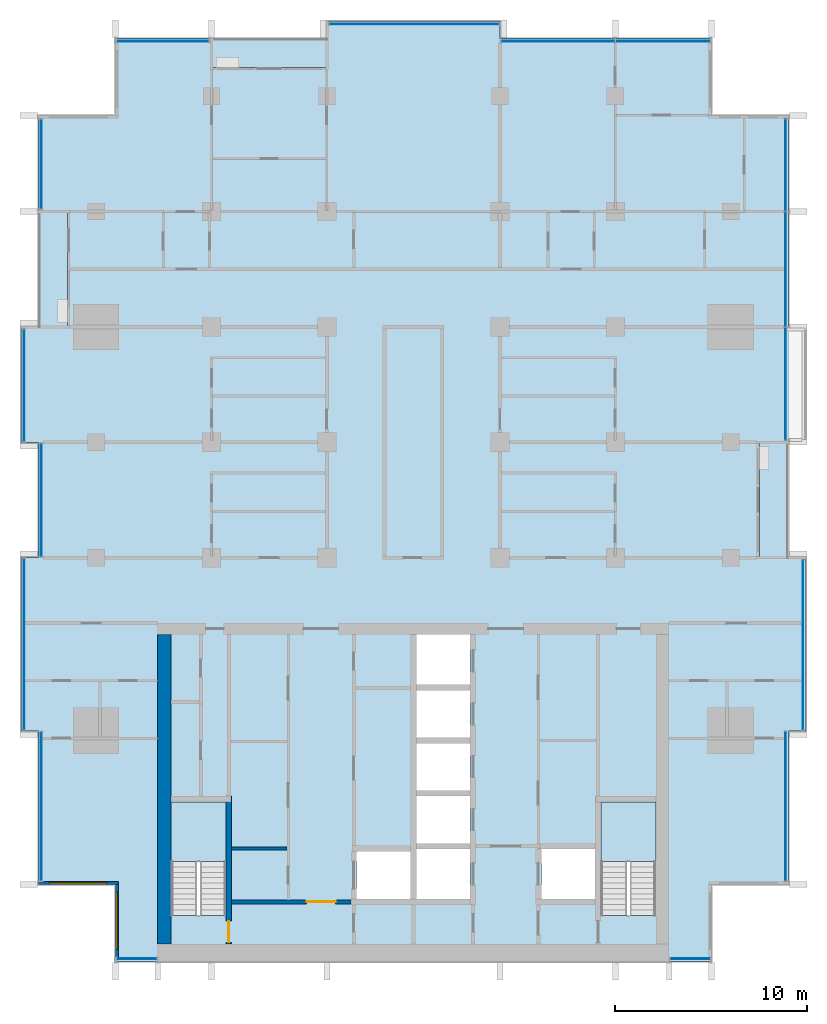
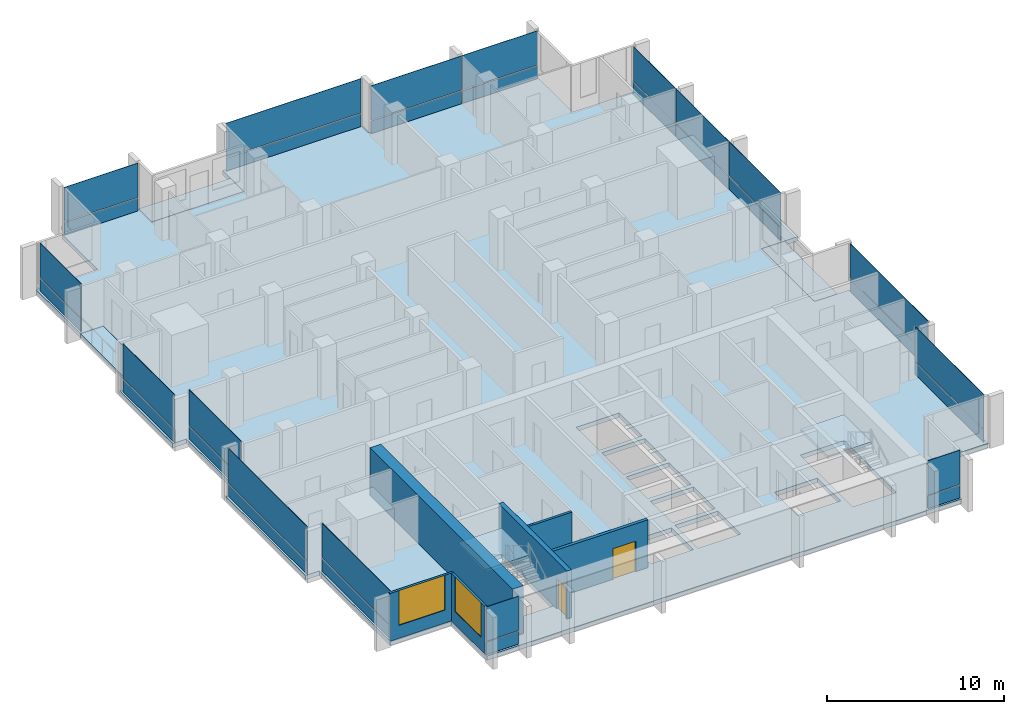
# One storey, part 6 of 16: 32 plates, 6 slabs, 6 walls, 2 doors, 2 windows, 4 openings, 15 elements without a shape of their own.
"""IFC4 building model written with IfcOpenShell, lengths in metres."""

import ifcopenshell
import ifcopenshell.guid

model = None  # the IFC model being written
_history = None  # IfcOwnerHistory: only IFC2X3 demands one
_inside = {}  # id of a spatial element -> (the spatial element, [elements in it])
_under = {}  # id of a project, library or spatial element -> (it, [spatial elements below it])
_declared = {}  # id of a project -> (the project, [libraries it declares])
_typed = {}  # id of a type object -> (the type object, [elements of that type])
_made_of = {}  # id of a material, layer set ... -> (it, [elements and type objects made of it])


def new_model(schema):
    """Start an empty IFC model of exactly this schema.

    Asked for "IFC4X3", IfcOpenShell would pick the latest addendum, in which some entities
    have other attributes; the version numbers below select the first issue.
    IFC2X3 requires an IfcOwnerHistory on every rooted entity: one is made here for all.
    """
    global model, _history
    if schema == "IFC4X3":
        model = ifcopenshell.file(schema_version=(4, 3, 0, 0))
    else:
        model = ifcopenshell.file(schema=schema)
    _inside.clear()
    _under.clear()
    _declared.clear()
    _typed.clear()
    _made_of.clear()
    _history = None
    if model.schema == "IFC2X3":
        org = make("IfcOrganization", Name="unknown")
        user = make(
            "IfcPersonAndOrganization",
            ThePerson=make("IfcPerson", FamilyName="unknown"),
            TheOrganization=org,
        )
        app = make(
            "IfcApplication",
            ApplicationDeveloper=org,
            Version="unknown",
            ApplicationFullName="unknown",
            ApplicationIdentifier="unknown",
        )
        _history = make(
            "IfcOwnerHistory",
            OwningUser=user,
            OwningApplication=app,
            ChangeAction="ADDED",
            CreationDate=0,
        )
    return model


def make(cls, **values):
    """One entity of the class cls with the attributes given. An attribute that is None is left unset."""
    return model.create_entity(
        cls, **{name: value for name, value in values.items() if value is not None}
    )


def rooted(cls, **values):
    """An entity with a GlobalId (a new one), such as an element, a storey or a relation."""
    return make(cls, GlobalId=ifcopenshell.guid.new(), OwnerHistory=_history, **values)


def si_unit(unit_type, name, prefix=None):
    """IfcSIUnit, for example si_unit("LENGTHUNIT", "METRE", prefix="MILLI")."""
    return make("IfcSIUnit", UnitType=unit_type, Prefix=prefix, Name=name)


def assignment(units):
    """IfcUnitAssignment: the units of a project."""
    return None if units is None else make("IfcUnitAssignment", Units=units)


def point(xyz):
    """IfcCartesianPoint."""
    return None if xyz is None else make("IfcCartesianPoint", Coordinates=xyz)


def direction(xyz):
    """IfcDirection."""
    return None if xyz is None else make("IfcDirection", DirectionRatios=xyz)


def frame(location, z_axis=None, x_axis=None):
    """IfcAxis2Placement3D, a coordinate frame: its origin and axes. An axis left out is left unset."""
    return make(
        "IfcAxis2Placement3D",
        Location=point(location),
        Axis=direction(z_axis),
        RefDirection=direction(x_axis),
    )


def frame_2d(location, x_axis=None):
    """IfcAxis2Placement2D, a coordinate frame in the plane: its origin and x axis."""
    return make(
        "IfcAxis2Placement2D", Location=point(location), RefDirection=direction(x_axis)
    )


def origin():
    """The frame at (0, 0, 0) with its axes left unset."""
    return frame((0.0, 0.0, 0.0))


def origin_2d():
    """The frame at (0, 0) in the plane with its x axis left unset."""
    return frame_2d((0.0, 0.0))


def place(relative_to, where):
    """IfcLocalPlacement: puts the frame where relative to a parent placement (None: the world)."""
    return make(
        "IfcLocalPlacement", PlacementRelTo=relative_to, RelativePlacement=where
    )


def context(
    kind, dimensions, precision=None, world=None, true_north=None, identifier=None
):
    """IfcGeometricRepresentationContext, for example the 3D "Model" context."""
    return make(
        "IfcGeometricRepresentationContext",
        ContextIdentifier=identifier,
        ContextType=kind,
        CoordinateSpaceDimension=dimensions,
        Precision=precision,
        WorldCoordinateSystem=world,
        TrueNorth=true_north,
    )


def subcontext(parent, identifier, kind, view, scale=None):
    """IfcGeometricRepresentationSubContext, for example "Body" below "Model"."""
    return make(
        "IfcGeometricRepresentationSubContext",
        ContextIdentifier=identifier,
        ContextType=kind,
        ParentContext=parent,
        TargetScale=scale,
        TargetView=view,
    )


def project(units=None, contexts=None):
    """IfcProject with its units and contexts."""
    return rooted(
        "IfcProject",
        Name="project",
        RepresentationContexts=contexts,
        UnitsInContext=assignment(units),
    )


def spatial(cls, under=None, at=None, **own):
    """A site, building, storey or space (cls), placed at a placement, below another one or the project."""
    s = rooted(cls, ObjectPlacement=at, **own)
    if under is not None:
        _under.setdefault(under.id(), (under, []))[1].append(s)
    return s


def polyline(points):
    """IfcPolyline through the points."""
    return make("IfcPolyline", Points=[point(p) for p in points])


def profile(cls, at=None, kind="AREA", **sizes):
    """A parametric profile (cls). Its sizes go by their IFC names, for example OverallWidth=200.0."""
    return make(cls, ProfileType=kind, Position=at, **sizes)


def rectangle(**sizes):
    """IfcRectangleProfileDef."""
    return profile("IfcRectangleProfileDef", **sizes)


def outline(outer, holes=None, kind="AREA"):
    """IfcArbitraryClosedProfileDef: a profile drawn as a closed curve; with holes, ...WithVoids."""
    if holes is None:
        return make("IfcArbitraryClosedProfileDef", ProfileType=kind, OuterCurve=outer)
    return make(
        "IfcArbitraryProfileDefWithVoids",
        ProfileType=kind,
        OuterCurve=outer,
        InnerCurves=holes,
    )


def extrude(swept, where, along, depth):
    """IfcExtrudedAreaSolid: the profile swept, set in the frame where, extruded along a direction by depth."""
    return make(
        "IfcExtrudedAreaSolid",
        SweptArea=swept,
        Position=where,
        ExtrudedDirection=direction(along),
        Depth=depth,
    )


def shape(context_of_items, identifier, shape_type, items):
    """IfcShapeRepresentation: the items that make up one representation, for example the "Body"."""
    return make(
        "IfcShapeRepresentation",
        ContextOfItems=context_of_items,
        RepresentationIdentifier=identifier,
        RepresentationType=shape_type,
        Items=items,
    )


def material(Name=None, Category=None):
    """IfcMaterial."""
    return make("IfcMaterial", Name=Name, Category=Category)


def layer(
    of_material, thickness, ventilated=None, Name=None, Category=None, Priority=None
):
    """IfcMaterialLayer: one layer of a wall or slab, of a material (None: an air gap)."""
    return make(
        "IfcMaterialLayer",
        Material=of_material,
        LayerThickness=thickness,
        IsVentilated=ventilated,
        Name=Name,
        Category=Category,
        Priority=Priority,
    )


def layer_set(layers, Name=None):
    """IfcMaterialLayerSet."""
    return make("IfcMaterialLayerSet", MaterialLayers=layers, LayerSetName=Name)


def made_of(thing, what):
    """Note that an element or type object is made of a material, layer set ...; save() writes the relation."""
    if what is not None:
        _made_of.setdefault(what.id(), (what, []))[1].append(thing)
    return thing


def type_object(cls, material=None, **own):
    """A type object (cls), such as IfcWallType, which elements share."""
    return made_of(rooted(cls, **own), material)


def element(
    cls,
    number,
    at=None,
    inside=None,
    cuts=None,
    type_object=None,
    material=None,
    context=None,
    identifier="Body",
    shape_type=None,
    held_by="IfcProductDefinitionShape",
    body=None,
    shapes=None,
    **own,
):
    """One element of the class cls, such as IfcWall. Its Tag is "e" and its number.

    at: its placement. inside: the storey or other place that contains it. cuts: it is an
    opening in that element (IfcRelVoidsElement). A single representation is given by context,
    identifier, shape_type and body (its items); several are given by shapes. held_by: the class
    of the entity that holds the representations. save() writes the other relations.
    """
    e = rooted(cls, Tag="e%d" % number, ObjectPlacement=at, **own)
    if body is not None:
        shapes = [shape(context, identifier, shape_type, body)]
    if shapes is not None:
        e.Representation = make(held_by, Representations=shapes)
    if inside is not None:
        _inside.setdefault(inside.id(), (inside, []))[1].append(e)
    if cuts is not None:
        rooted(
            "IfcRelVoidsElement", RelatingBuildingElement=cuts, RelatedOpeningElement=e
        )
    if type_object is not None:
        _typed.setdefault(type_object.id(), (type_object, []))[1].append(e)
    return made_of(e, material)


def fill(opening, filler):
    """IfcRelFillsElement: the door or window that sits in an opening."""
    return rooted(
        "IfcRelFillsElement",
        RelatingOpeningElement=opening,
        RelatedBuildingElement=filler,
    )


def aggregate(whole, parts):
    """IfcRelAggregates: a whole, such as a stair, and the parts it consists of."""
    return rooted("IfcRelAggregates", RelatingObject=whole, RelatedObjects=parts)


def save(model, path):
    """Write the relations noted so far, then the file.

    IfcRelAggregates (storeys below a building ...), IfcRelContainedInSpatialStructure (elements
    in a storey), IfcRelDefinesByType, IfcRelAssociatesMaterial and IfcRelDeclares: one each for
    every whole, place, type object, material and project.
    """
    for whole, parts in _under.values():
        aggregate(whole, parts)
    for where, things in _inside.values():
        rooted(
            "IfcRelContainedInSpatialStructure",
            RelatedElements=things,
            RelatingStructure=where,
        )
    for kind, things in _typed.values():
        rooted("IfcRelDefinesByType", RelatedObjects=things, RelatingType=kind)
    for what, things in _made_of.values():
        rooted("IfcRelAssociatesMaterial", RelatedObjects=things, RelatingMaterial=what)
    for by, libraries in _declared.values():
        rooted("IfcRelDeclares", RelatingContext=by, RelatedDefinitions=libraries)
    model.write(path)


model = new_model("IFC4")

# Units and contexts
model_context = context("Model", 3, precision=1e-05, world=origin(), true_north=direction((0.0, 1.0)))
body_context = subcontext(model_context, "Body", "Model", "MODEL_VIEW")
ifc_project = project(units=[si_unit("LENGTHUNIT", "METRE"), si_unit("AREAUNIT", "SQUARE_METRE"), si_unit("VOLUMEUNIT", "CUBIC_METRE"), si_unit("PLANEANGLEUNIT", "RADIAN"), si_unit("MASSUNIT", "GRAM", prefix="KILO")], contexts=[model_context])

# Site, building, storey
site_placement = place(None, origin())
site = spatial("IfcSite", under=ifc_project, at=site_placement, CompositionType="ELEMENT")
building_placement = place(site_placement, origin())
building = spatial("IfcBuilding", under=site, at=building_placement, Name="Finial Court Residences", CompositionType="ELEMENT")
storey_placement = place(building_placement, frame((0.0, 0.0, 163.699951171875)))
storey = spatial("IfcBuildingStorey", under=building, at=storey_placement, Name="L40", CompositionType="ELEMENT", Elevation=163.699951171875)

# Slabs
ifc_material_1 = material(Name="Concrete C35/45", Category="concrete")
ifc_layer_1 = layer(ifc_material_1, 0.199951171875)
ifc_layer_set_1 = layer_set([ifc_layer_1], Name="Balcony slab, Concrete C35/45 200")
slab_type_1 = type_object("IfcSlabType", Name="Balcony slab, Concrete C35/45 200", PredefinedType="FLOOR", material=ifc_layer_set_1)
slab_1_placement = place(storey_placement, frame((0.0, 0.0, -0.199951171875)))
element("IfcSlab", 1, at=slab_1_placement, inside=storey, type_object=slab_type_1, Name="Balcony L40-N2", PredefinedType="FLOOR", context=body_context, shape_type="SweptSolid", body=[
    extrude(outline(polyline([(-4.5, 21.0), (-4.5, 22.5), (-10.5, 22.5), (-10.5, 21.0), (-4.5, 21.0)])), origin(), (0.0, 0.0, 1.0), 0.199951171875),
])
slab_2_placement = place(storey_placement, frame((0.0, 0.0, -0.199951171875)))
element("IfcSlab", 2, at=slab_2_placement, inside=storey, type_object=slab_type_1, Name="Balcony L40-E3", PredefinedType="FLOOR", context=body_context, shape_type="SweptSolid", body=[
    extrude(outline(polyline([(19.5, -4.5), (19.5, 1.5), (18.0, 1.5), (18.0, -4.5), (19.5, -4.5)])), origin(), (0.0, 0.0, 1.0), 0.199951171875),
])
slab_3_placement = place(storey_placement, frame((0.0, 0.0, -0.199951171875)))
element("IfcSlab", 3, at=slab_3_placement, inside=storey, type_object=slab_type_1, Name="Balcony L40-W5", PredefinedType="FLOOR", context=body_context, shape_type="SweptSolid", body=[
    extrude(outline(polyline([(-18.0, 7.5), (-18.0, 13.5), (-19.5, 13.5), (-19.5, 7.5), (-18.0, 7.5)])), origin(), (0.0, 0.0, 1.0), 0.199951171875),
])

# Curtain wall, plate
ifc_material_2 = material(Name="Bronze anodised aluminium", Category="aluminium")
curtain_wall_type = type_object("IfcCurtainWallType", Name="Unitised curtain wall, upper zones", PredefinedType="NOTDEFINED", material=ifc_material_2)
curtain_wall_1_placement = place(storey_placement, origin())
curtain_wall_1 = element("IfcCurtainWall", 4, at=curtain_wall_1_placement, inside=storey, type_object=curtain_wall_type, Name="E-L40-CW-N1", PredefinedType="NOTDEFINED")
ifc_layer_2 = layer(ifc_material_2, 0.035888671875)
ifc_layer_set_2 = layer_set([ifc_layer_2], Name="CW2 spandrel panel 36")
plate_type_1 = type_object("IfcPlateType", Name="CW2 spandrel panel 36", PredefinedType="CURTAIN_PANEL", material=ifc_layer_set_2)
plate_1_placement = place(storey_placement, frame((-13.03759765625, 22.35009765625, 0.0), z_axis=(0.0, 0.0, 1.0), x_axis=(1.0, 0.0, 0.0)))
plate_1 = element("IfcPlate", 5, at=plate_1_placement, type_object=plate_type_1, Name="CW2 spandrel 1.1", PredefinedType="CURTAIN_PANEL", context=body_context, shape_type="SweptSolid", body=[
    extrude(rectangle(XDim=4.804931640625, YDim=0.035888671875, at=origin_2d()), origin(), (0.0, 0.0, 1.0), 0.8701171875),
])

curtain_wall_2_placement = place(storey_placement, origin())
curtain_wall_2 = element("IfcCurtainWall", 6, at=curtain_wall_2_placement, inside=storey, type_object=curtain_wall_type, Name="E-L40-CW-N2", PredefinedType="NOTDEFINED")
plate_2_placement = place(storey_placement, frame((0.03759765625, 23.25, 0.0), z_axis=(0.0, 0.0, 1.0), x_axis=(1.0, 0.0, 0.0)))
plate_2 = element("IfcPlate", 7, at=plate_2_placement, type_object=plate_type_1, Name="CW2 spandrel 1.1", PredefinedType="CURTAIN_PANEL", context=body_context, shape_type="SweptSolid", body=[
    extrude(rectangle(XDim=8.804931640625, YDim=0.035888671875, at=origin_2d()), origin(), (0.0, 0.0, 1.0), 0.8701171875),
])

# Curtain wall, plates
curtain_wall_3_placement = place(storey_placement, origin())
curtain_wall_3 = element("IfcCurtainWall", 8, at=curtain_wall_3_placement, inside=storey, type_object=curtain_wall_type, Name="E-L40-CW-N3", PredefinedType="NOTDEFINED")
plate_3_placement = place(storey_placement, frame((7.514892578125, 22.35009765625, 0.0), z_axis=(0.0, 0.0, 1.0), x_axis=(1.0, 0.0, 0.0)))
plate_3 = element("IfcPlate", 9, at=plate_3_placement, type_object=plate_type_1, Name="CW2 spandrel 1.1", PredefinedType="CURTAIN_PANEL", context=body_context, shape_type="SweptSolid", body=[
    extrude(rectangle(XDim=5.909912109375, YDim=0.035888671875, at=origin_2d()), origin(), (0.0, 0.0, 1.0), 0.8701171875),
])
plate_4_placement = place(storey_placement, frame((12.985107421875, 22.35009765625, 0.0), z_axis=(0.0, 0.0, 1.0), x_axis=(1.0, 0.0, 0.0)))
plate_4 = element("IfcPlate", 10, at=plate_4_placement, type_object=plate_type_1, Name="CW2 spandrel 2.1", PredefinedType="CURTAIN_PANEL", context=body_context, shape_type="SweptSolid", body=[
    extrude(rectangle(XDim=4.909912109375, YDim=0.035888671875, at=origin_2d()), origin(), (0.0, 0.0, 1.0), 0.8701171875),
])

# Curtain wall, plate
curtain_wall_4_placement = place(storey_placement, origin())
curtain_wall_4 = element("IfcCurtainWall", 11, at=curtain_wall_4_placement, inside=storey, type_object=curtain_wall_type, Name="E-L40-CW-E4", PredefinedType="NOTDEFINED")
plate_5_placement = place(storey_placement, frame((19.35009765625, -17.425048828125, 0.0), z_axis=(0.0, 0.0, 1.0), x_axis=(0.0, 1.0, 0.0)))
plate_5 = element("IfcPlate", 12, at=plate_5_placement, type_object=plate_type_1, Name="CW2 spandrel 1.1", PredefinedType="CURTAIN_PANEL", context=body_context, shape_type="SweptSolid", body=[
    extrude(rectangle(XDim=7.72998046875, YDim=0.035888671875, at=origin_2d()), origin(), (0.0, 0.0, 1.0), 0.8701171875),
])

curtain_wall_5_placement = place(storey_placement, origin())
curtain_wall_5 = element("IfcCurtainWall", 13, at=curtain_wall_5_placement, inside=storey, type_object=curtain_wall_type, Name="E-L40-CW-E5", PredefinedType="NOTDEFINED")
plate_6_placement = place(storey_placement, frame((20.25, -9.03759765625, 0.0), z_axis=(0.0, 0.0, 1.0), x_axis=(0.0, 1.0, 0.0)))
plate_6 = element("IfcPlate", 14, at=plate_6_placement, type_object=plate_type_1, Name="CW2 spandrel 1.1", PredefinedType="CURTAIN_PANEL", context=body_context, shape_type="SweptSolid", body=[
    extrude(rectangle(XDim=8.804931640625, YDim=0.035888671875, at=origin_2d()), origin(), (0.0, 0.0, 1.0), 0.8701171875),
])

# Curtain wall, plates
curtain_wall_6_placement = place(storey_placement, origin())
curtain_wall_6 = element("IfcCurtainWall", 15, at=curtain_wall_6_placement, inside=storey, type_object=curtain_wall_type, Name="E-L40-CW-E6", PredefinedType="NOTDEFINED")
plate_7_placement = place(storey_placement, frame((19.35009765625, 4.552490234375, 0.0), z_axis=(0.0, 0.0, 1.0), x_axis=(0.0, 1.0, 0.0)))
plate_7 = element("IfcPlate", 16, at=plate_7_placement, type_object=plate_type_1, Name="CW2 spandrel 1.1", PredefinedType="CURTAIN_PANEL", context=body_context, shape_type="SweptSolid", body=[
    extrude(rectangle(XDim=5.8349609375, YDim=0.035888671875, at=origin_2d()), origin(), (0.0, 0.0, 1.0), 0.8701171875),
])
plate_8_placement = place(storey_placement, frame((19.35009765625, 10.5, 0.0), z_axis=(0.0, 0.0, 1.0), x_axis=(0.0, 1.0, 0.0)))
plate_8 = element("IfcPlate", 17, at=plate_8_placement, type_object=plate_type_1, Name="CW2 spandrel 2.1", PredefinedType="CURTAIN_PANEL", context=body_context, shape_type="SweptSolid", body=[
    extrude(rectangle(XDim=5.93994140625, YDim=0.035888671875, at=origin_2d()), origin(), (0.0, 0.0, 1.0), 0.8701171875),
])
plate_9_placement = place(storey_placement, frame((19.35009765625, 15.909912109375, 0.0), z_axis=(0.0, 0.0, 1.0), x_axis=(0.0, 1.0, 0.0)))
plate_9 = element("IfcPlate", 18, at=plate_9_placement, type_object=plate_type_1, Name="CW2 spandrel 3.1", PredefinedType="CURTAIN_PANEL", context=body_context, shape_type="SweptSolid", body=[
    extrude(rectangle(XDim=4.760009765625, YDim=0.035888671875, at=origin_2d()), origin(), (0.0, 0.0, 1.0), 0.8701171875),
])

# Curtain wall, plate
curtain_wall_7_placement = place(storey_placement, origin())
curtain_wall_7 = element("IfcCurtainWall", 19, at=curtain_wall_7_placement, inside=storey, type_object=curtain_wall_type, Name="E-L40-CW-S7", PredefinedType="NOTDEFINED")
plate_10_placement = place(storey_placement, frame((-14.39990234375, -25.35009765625, 0.0), z_axis=(0.0, 0.0, 1.0), x_axis=(1.0, 0.0, 0.0)))
plate_10 = element("IfcPlate", 20, at=plate_10_placement, type_object=plate_type_1, Name="CW2 spandrel 1.1", PredefinedType="CURTAIN_PANEL", context=body_context, shape_type="SweptSolid", body=[
    extrude(rectangle(XDim=2.080078125, YDim=0.035888671875, at=origin_2d()), origin(), (0.0, 0.0, 1.0), 0.8701171875),
])

curtain_wall_8_placement = place(storey_placement, origin())
curtain_wall_8 = element("IfcCurtainWall", 21, at=curtain_wall_8_placement, inside=storey, type_object=curtain_wall_type, Name="E-L40-CW-S8", PredefinedType="NOTDEFINED")
plate_11_placement = place(storey_placement, frame((14.39990234375, -25.35009765625, 0.0), z_axis=(0.0, 0.0, 1.0), x_axis=(1.0, 0.0, 0.0)))
plate_11 = element("IfcPlate", 22, at=plate_11_placement, type_object=plate_type_1, Name="CW2 spandrel 1.1", PredefinedType="CURTAIN_PANEL", context=body_context, shape_type="SweptSolid", body=[
    extrude(rectangle(XDim=2.080078125, YDim=0.035888671875, at=origin_2d()), origin(), (0.0, 0.0, 1.0), 0.8701171875),
])

curtain_wall_9_placement = place(storey_placement, origin())
curtain_wall_9 = element("IfcCurtainWall", 23, at=curtain_wall_9_placement, inside=storey, type_object=curtain_wall_type, Name="E-L40-CW-W9", PredefinedType="NOTDEFINED")
plate_12_placement = place(storey_placement, frame((-19.35009765625, -17.425048828125, 0.0), z_axis=(0.0, 0.0, 1.0), x_axis=(0.0, 1.0, 0.0)))
plate_12 = element("IfcPlate", 24, at=plate_12_placement, type_object=plate_type_1, Name="CW2 spandrel 1.1", PredefinedType="CURTAIN_PANEL", context=body_context, shape_type="SweptSolid", body=[
    extrude(rectangle(XDim=7.72998046875, YDim=0.035888671875, at=origin_2d()), origin(), (0.0, 0.0, 1.0), 0.8701171875),
])

curtain_wall_10_placement = place(storey_placement, origin())
curtain_wall_10 = element("IfcCurtainWall", 25, at=curtain_wall_10_placement, inside=storey, type_object=curtain_wall_type, Name="E-L40-CW-W10", PredefinedType="NOTDEFINED")
plate_13_placement = place(storey_placement, frame((-20.25, -9.0, 0.0), z_axis=(0.0, 0.0, 1.0), x_axis=(0.0, 1.0, 0.0)))
plate_13 = element("IfcPlate", 26, at=plate_13_placement, type_object=plate_type_1, Name="CW2 spandrel 1.1", PredefinedType="CURTAIN_PANEL", context=body_context, shape_type="SweptSolid", body=[
    extrude(rectangle(XDim=8.8798828125, YDim=0.035888671875, at=origin_2d()), origin(), (0.0, 0.0, 1.0), 0.8701171875),
])

curtain_wall_11_placement = place(storey_placement, origin())
curtain_wall_11 = element("IfcCurtainWall", 27, at=curtain_wall_11_placement, inside=storey, type_object=curtain_wall_type, Name="E-L40-CW-W11", PredefinedType="NOTDEFINED")
plate_14_placement = place(storey_placement, frame((-19.35009765625, -1.5, 0.0), z_axis=(0.0, 0.0, 1.0), x_axis=(0.0, 1.0, 0.0)))
plate_14 = element("IfcPlate", 28, at=plate_14_placement, type_object=plate_type_1, Name="CW2 spandrel 1.1", PredefinedType="CURTAIN_PANEL", context=body_context, shape_type="SweptSolid", body=[
    extrude(rectangle(XDim=5.8798828125, YDim=0.035888671875, at=origin_2d()), origin(), (0.0, 0.0, 1.0), 0.8701171875),
])

curtain_wall_12_placement = place(storey_placement, origin())
curtain_wall_12 = element("IfcCurtainWall", 29, at=curtain_wall_12_placement, inside=storey, type_object=curtain_wall_type, Name="E-L40-CW-W12", PredefinedType="NOTDEFINED")
plate_15_placement = place(storey_placement, frame((-20.25, 4.46240234375, 0.0), z_axis=(0.0, 0.0, 1.0), x_axis=(0.0, 1.0, 0.0)))
plate_15 = element("IfcPlate", 30, at=plate_15_placement, type_object=plate_type_1, Name="CW2 spandrel 1.1", PredefinedType="CURTAIN_PANEL", context=body_context, shape_type="SweptSolid", body=[
    extrude(rectangle(XDim=5.804931640625, YDim=0.035888671875, at=origin_2d()), origin(), (0.0, 0.0, 1.0), 0.8701171875),
])

curtain_wall_13_placement = place(storey_placement, origin())
curtain_wall_13 = element("IfcCurtainWall", 31, at=curtain_wall_13_placement, inside=storey, type_object=curtain_wall_type, Name="E-L40-CW-W13", PredefinedType="NOTDEFINED")
plate_16_placement = place(storey_placement, frame((-19.35009765625, 15.96240234375, 0.0), z_axis=(0.0, 0.0, 1.0), x_axis=(0.0, 1.0, 0.0)))
plate_16 = element("IfcPlate", 32, at=plate_16_placement, type_object=plate_type_1, Name="CW2 spandrel 1.1", PredefinedType="CURTAIN_PANEL", context=body_context, shape_type="SweptSolid", body=[
    extrude(rectangle(XDim=4.655029296875, YDim=0.035888671875, at=origin_2d()), origin(), (0.0, 0.0, 1.0), 0.8701171875),
])

# Plate
ifc_material_3 = material(Name="Clear low-e glass", Category="glass")
ifc_layer_3 = layer(ifc_material_3, 0.030029296875)
ifc_layer_set_3 = layer_set([ifc_layer_3], Name="CW2 vision glass 30")
plate_type_2 = type_object("IfcPlateType", Name="CW2 vision glass 30", PredefinedType="CURTAIN_PANEL", material=ifc_layer_set_3)
plate_17_placement = place(storey_placement, frame((-13.03759765625, 22.35009765625, 0.929931640625), z_axis=(0.0, 0.0, 1.0), x_axis=(1.0, 0.0, 0.0)))
plate_17 = element("IfcPlate", 33, at=plate_17_placement, type_object=plate_type_2, Name="CW2 glass 1.2", PredefinedType="CURTAIN_PANEL", context=body_context, shape_type="SweptSolid", body=[
    extrude(rectangle(XDim=4.804931640625, YDim=0.030029296875, at=origin_2d()), origin(), (0.0, 0.0, 1.0), 2.3701171875),
])

aggregate(curtain_wall_1, [plate_1, plate_17])

plate_18_placement = place(storey_placement, frame((0.03759765625, 23.25, 0.929931640625), z_axis=(0.0, 0.0, 1.0), x_axis=(1.0, 0.0, 0.0)))
plate_18 = element("IfcPlate", 34, at=plate_18_placement, type_object=plate_type_2, Name="CW2 glass 1.2", PredefinedType="CURTAIN_PANEL", context=body_context, shape_type="SweptSolid", body=[
    extrude(rectangle(XDim=8.804931640625, YDim=0.030029296875, at=origin_2d()), origin(), (0.0, 0.0, 1.0), 2.3701171875),
])

aggregate(curtain_wall_2, [plate_2, plate_18])

plate_19_placement = place(storey_placement, frame((7.514892578125, 22.35009765625, 0.929931640625), z_axis=(0.0, 0.0, 1.0), x_axis=(1.0, 0.0, 0.0)))
plate_19 = element("IfcPlate", 35, at=plate_19_placement, type_object=plate_type_2, Name="CW2 glass 1.2", PredefinedType="CURTAIN_PANEL", context=body_context, shape_type="SweptSolid", body=[
    extrude(rectangle(XDim=5.909912109375, YDim=0.030029296875, at=origin_2d()), origin(), (0.0, 0.0, 1.0), 2.3701171875),
])

plate_20_placement = place(storey_placement, frame((12.985107421875, 22.35009765625, 0.929931640625), z_axis=(0.0, 0.0, 1.0), x_axis=(1.0, 0.0, 0.0)))
plate_20 = element("IfcPlate", 36, at=plate_20_placement, type_object=plate_type_2, Name="CW2 glass 2.2", PredefinedType="CURTAIN_PANEL", context=body_context, shape_type="SweptSolid", body=[
    extrude(rectangle(XDim=4.909912109375, YDim=0.030029296875, at=origin_2d()), origin(), (0.0, 0.0, 1.0), 2.3701171875),
])

aggregate(curtain_wall_3, [plate_3, plate_19, plate_4, plate_20])

plate_21_placement = place(storey_placement, frame((19.35009765625, -17.425048828125, 0.929931640625), z_axis=(0.0, 0.0, 1.0), x_axis=(0.0, 1.0, 0.0)))
plate_21 = element("IfcPlate", 37, at=plate_21_placement, type_object=plate_type_2, Name="CW2 glass 1.2", PredefinedType="CURTAIN_PANEL", context=body_context, shape_type="SweptSolid", body=[
    extrude(rectangle(XDim=7.72998046875, YDim=0.030029296875, at=origin_2d()), origin(), (0.0, 0.0, 1.0), 2.3701171875),
])

aggregate(curtain_wall_4, [plate_5, plate_21])

plate_22_placement = place(storey_placement, frame((20.25, -9.03759765625, 0.929931640625), z_axis=(0.0, 0.0, 1.0), x_axis=(0.0, 1.0, 0.0)))
plate_22 = element("IfcPlate", 38, at=plate_22_placement, type_object=plate_type_2, Name="CW2 glass 1.2", PredefinedType="CURTAIN_PANEL", context=body_context, shape_type="SweptSolid", body=[
    extrude(rectangle(XDim=8.804931640625, YDim=0.030029296875, at=origin_2d()), origin(), (0.0, 0.0, 1.0), 2.3701171875),
])

aggregate(curtain_wall_5, [plate_6, plate_22])

plate_23_placement = place(storey_placement, frame((19.35009765625, 4.552490234375, 0.929931640625), z_axis=(0.0, 0.0, 1.0), x_axis=(0.0, 1.0, 0.0)))
plate_23 = element("IfcPlate", 39, at=plate_23_placement, type_object=plate_type_2, Name="CW2 glass 1.2", PredefinedType="CURTAIN_PANEL", context=body_context, shape_type="SweptSolid", body=[
    extrude(rectangle(XDim=5.8349609375, YDim=0.030029296875, at=origin_2d()), origin(), (0.0, 0.0, 1.0), 2.3701171875),
])

plate_24_placement = place(storey_placement, frame((19.35009765625, 10.5, 0.929931640625), z_axis=(0.0, 0.0, 1.0), x_axis=(0.0, 1.0, 0.0)))
plate_24 = element("IfcPlate", 40, at=plate_24_placement, type_object=plate_type_2, Name="CW2 glass 2.2", PredefinedType="CURTAIN_PANEL", context=body_context, shape_type="SweptSolid", body=[
    extrude(rectangle(XDim=5.93994140625, YDim=0.030029296875, at=origin_2d()), origin(), (0.0, 0.0, 1.0), 2.3701171875),
])

plate_25_placement = place(storey_placement, frame((19.35009765625, 15.909912109375, 0.929931640625), z_axis=(0.0, 0.0, 1.0), x_axis=(0.0, 1.0, 0.0)))
plate_25 = element("IfcPlate", 41, at=plate_25_placement, type_object=plate_type_2, Name="CW2 glass 3.2", PredefinedType="CURTAIN_PANEL", context=body_context, shape_type="SweptSolid", body=[
    extrude(rectangle(XDim=4.760009765625, YDim=0.030029296875, at=origin_2d()), origin(), (0.0, 0.0, 1.0), 2.3701171875),
])

aggregate(curtain_wall_6, [plate_7, plate_23, plate_8, plate_24, plate_9, plate_25])

plate_26_placement = place(storey_placement, frame((-14.39990234375, -25.35009765625, 0.929931640625), z_axis=(0.0, 0.0, 1.0), x_axis=(1.0, 0.0, 0.0)))
plate_26 = element("IfcPlate", 42, at=plate_26_placement, type_object=plate_type_2, Name="CW2 glass 1.2", PredefinedType="CURTAIN_PANEL", context=body_context, shape_type="SweptSolid", body=[
    extrude(rectangle(XDim=2.080078125, YDim=0.030029296875, at=origin_2d()), origin(), (0.0, 0.0, 1.0), 2.3701171875),
])

aggregate(curtain_wall_7, [plate_10, plate_26])

plate_27_placement = place(storey_placement, frame((14.39990234375, -25.35009765625, 0.929931640625), z_axis=(0.0, 0.0, 1.0), x_axis=(1.0, 0.0, 0.0)))
plate_27 = element("IfcPlate", 43, at=plate_27_placement, type_object=plate_type_2, Name="CW2 glass 1.2", PredefinedType="CURTAIN_PANEL", context=body_context, shape_type="SweptSolid", body=[
    extrude(rectangle(XDim=2.080078125, YDim=0.030029296875, at=origin_2d()), origin(), (0.0, 0.0, 1.0), 2.3701171875),
])

aggregate(curtain_wall_8, [plate_11, plate_27])

plate_28_placement = place(storey_placement, frame((-19.35009765625, -17.425048828125, 0.929931640625), z_axis=(0.0, 0.0, 1.0), x_axis=(0.0, 1.0, 0.0)))
plate_28 = element("IfcPlate", 44, at=plate_28_placement, type_object=plate_type_2, Name="CW2 glass 1.2", PredefinedType="CURTAIN_PANEL", context=body_context, shape_type="SweptSolid", body=[
    extrude(rectangle(XDim=7.72998046875, YDim=0.030029296875, at=origin_2d()), origin(), (0.0, 0.0, 1.0), 2.3701171875),
])

aggregate(curtain_wall_9, [plate_12, plate_28])

plate_29_placement = place(storey_placement, frame((-20.25, -9.0, 0.929931640625), z_axis=(0.0, 0.0, 1.0), x_axis=(0.0, 1.0, 0.0)))
plate_29 = element("IfcPlate", 45, at=plate_29_placement, type_object=plate_type_2, Name="CW2 glass 1.2", PredefinedType="CURTAIN_PANEL", context=body_context, shape_type="SweptSolid", body=[
    extrude(rectangle(XDim=8.8798828125, YDim=0.030029296875, at=origin_2d()), origin(), (0.0, 0.0, 1.0), 2.3701171875),
])

aggregate(curtain_wall_10, [plate_13, plate_29])

plate_30_placement = place(storey_placement, frame((-19.35009765625, -1.5, 0.93017578125), z_axis=(0.0, 0.0, 1.0), x_axis=(0.0, 1.0, 0.0)))
plate_30 = element("IfcPlate", 46, at=plate_30_placement, type_object=plate_type_2, Name="CW2 glass 1.2", PredefinedType="CURTAIN_PANEL", context=body_context, shape_type="SweptSolid", body=[
    extrude(rectangle(XDim=5.8798828125, YDim=0.030029296875, at=origin_2d()), origin(), (0.0, 0.0, 1.0), 2.469970703125),
])

aggregate(curtain_wall_11, [plate_14, plate_30])

plate_31_placement = place(storey_placement, frame((-20.25, 4.46240234375, 0.929931640625), z_axis=(0.0, 0.0, 1.0), x_axis=(0.0, 1.0, 0.0)))
plate_31 = element("IfcPlate", 47, at=plate_31_placement, type_object=plate_type_2, Name="CW2 glass 1.2", PredefinedType="CURTAIN_PANEL", context=body_context, shape_type="SweptSolid", body=[
    extrude(rectangle(XDim=5.804931640625, YDim=0.030029296875, at=origin_2d()), origin(), (0.0, 0.0, 1.0), 2.3701171875),
])

aggregate(curtain_wall_12, [plate_15, plate_31])

plate_32_placement = place(storey_placement, frame((-19.35009765625, 15.96240234375, 0.929931640625), z_axis=(0.0, 0.0, 1.0), x_axis=(0.0, 1.0, 0.0)))
plate_32 = element("IfcPlate", 48, at=plate_32_placement, type_object=plate_type_2, Name="CW2 glass 1.2", PredefinedType="CURTAIN_PANEL", context=body_context, shape_type="SweptSolid", body=[
    extrude(rectangle(XDim=4.655029296875, YDim=0.030029296875, at=origin_2d()), origin(), (0.0, 0.0, 1.0), 2.3701171875),
])

aggregate(curtain_wall_13, [plate_16, plate_32])

# Stair, slab
ifc_material_4 = material(Name="Concrete C50/60", Category="concrete")
stair_type = type_object("IfcStairType", Name="Exit stair 22 risers of 163.6 mm", PredefinedType="HALF_TURN_STAIR", material=ifc_material_4)
stair_1_placement = place(storey_placement, origin())
stair_1 = element("IfcStair", 49, at=stair_1_placement, inside=storey, type_object=stair_type, Name="L40 Exit stair ST-1", PredefinedType="HALF_TURN_STAIR")
ifc_layer_4 = layer(ifc_material_4, 0.199951171875)
ifc_layer_set_4 = layer_set([ifc_layer_4], Name="Exit stair landing")
slab_type_2 = type_object("IfcSlabType", Name="Exit stair landing", PredefinedType="LANDING", material=ifc_layer_set_4)
slab_4_placement = place(storey_placement, frame((0.0, 0.0, 1.60009765625)))
slab_4 = element("IfcSlab", 50, at=slab_4_placement, type_object=slab_type_2, Name="ST-1 landing 1", PredefinedType="LANDING", context=body_context, shape_type="SweptSolid", body=[
    extrude(outline(polyline([(-9.75, -20.300048828125), (-9.75, -17.199951171875), (-12.60009765625, -17.199951171875), (-12.60009765625, -20.300048828125), (-9.75, -20.300048828125)])), origin(), (0.0, 0.0, 1.0), 0.199951171875),
])
aggregate(stair_1, [slab_4])

stair_2_placement = place(storey_placement, origin())
stair_2 = element("IfcStair", 51, at=stair_2_placement, inside=storey, type_object=stair_type, Name="L40 Exit stair ST-2", PredefinedType="HALF_TURN_STAIR")
slab_5_placement = place(storey_placement, frame((0.0, 0.0, 1.60009765625)))
slab_5 = element("IfcSlab", 52, at=slab_5_placement, type_object=slab_type_2, Name="ST-2 landing 1", PredefinedType="LANDING", context=body_context, shape_type="SweptSolid", body=[
    extrude(outline(polyline([(12.60009765625, -20.300048828125), (12.60009765625, -17.199951171875), (9.75, -17.199951171875), (9.75, -20.300048828125), (12.60009765625, -20.300048828125)])), origin(), (0.0, 0.0, 1.0), 0.199951171875),
])
aggregate(stair_2, [slab_5])

# Slab
ifc_material_5 = material(Name="Concrete C40/50", Category="concrete")
ifc_layer_5 = layer(ifc_material_5, 0.300048828125)
ifc_layer_set_5 = layer_set([ifc_layer_5], Name="Flat plate slab 300 Concrete C40/50")
slab_type_3 = type_object("IfcSlabType", Name="Flat plate slab 300 Concrete C40/50", PredefinedType="FLOOR", material=ifc_layer_set_5)
slab_6_placement = place(storey_placement, frame((0.0, 0.0, -0.300048828125)))
element("IfcSlab", 53, at=slab_6_placement, inside=storey, type_object=slab_type_3, Name="S:SLAB:L40", PredefinedType="FLOOR", context=body_context, shape_type="SweptSolid", body=[
    extrude(outline(polyline([(-20.39990234375, 7.5), (-19.5, 7.5), (-18.0, 7.5), (-18.0, 13.5), (-19.5, 13.5), (-19.5, 18.5), (-15.5, 18.5), (-15.5, 22.5), (-10.5, 22.5), (-10.5, 21.0), (-4.5, 21.0), (-4.5, 22.5), (-4.5, 23.39990234375), (4.5, 23.39990234375), (4.5, 22.5), (15.5, 22.5), (15.5, 18.5), (19.5, 18.5), (19.5, 7.5), (20.39990234375, 7.5), (20.39990234375, 1.5), (19.5, 1.5), (18.0, 1.5), (18.0, -4.5), (19.5, -4.5), (20.39990234375, -4.5), (20.39990234375, -13.5), (19.5, -13.5), (19.5, -21.5), (15.5, -21.5), (15.5, -25.5), (-15.5, -25.5), (-15.5, -21.5), (-19.5, -21.5), (-19.5, -13.5), (-20.39990234375, -13.5), (-20.39990234375, -4.5), (-19.5, -4.5), (-19.5, 1.5), (-20.39990234375, 1.5), (-20.39990234375, 7.5)]), holes=[polyline([(-0.14990234375, -19.77001953125), (-2.949951171875, -19.77001953125), (-2.949951171875, -22.25), (-0.14990234375, -22.25), (-0.14990234375, -19.77001953125)]), polyline([(2.949951171875, -19.64990234375), (0.14990234375, -19.64990234375), (0.14990234375, -22.25), (2.949951171875, -22.25), (2.949951171875, -19.64990234375)]), polyline([(9.449951171875, -19.64990234375), (6.64990234375, -19.64990234375), (6.64990234375, -22.25), (9.449951171875, -22.25), (9.449951171875, -19.64990234375)]), polyline([(-12.60009765625, -17.199951171875), (-12.60009765625, -23.09912109375), (-9.75, -23.09912109375), (-9.75, -17.199951171875), (-12.60009765625, -17.199951171875)]), polyline([(9.75, -17.199951171875), (9.75, -23.09912109375), (12.60009765625, -23.09912109375), (12.60009765625, -17.199951171875), (9.75, -17.199951171875)]), polyline([(2.949951171875, -16.89990234375), (0.14990234375, -16.89990234375), (0.14990234375, -19.35009765625), (2.949951171875, -19.35009765625), (2.949951171875, -16.89990234375)]), polyline([(2.949951171875, -14.14990234375), (0.14990234375, -14.14990234375), (0.14990234375, -16.60009765625), (2.949951171875, -16.60009765625), (2.949951171875, -14.14990234375)]), polyline([(2.949951171875, -13.85009765625), (2.949951171875, -11.39990234375), (0.14990234375, -11.39990234375), (0.14990234375, -13.85009765625), (2.949951171875, -13.85009765625)]), polyline([(2.949951171875, -11.10009765625), (2.949951171875, -8.5), (0.14990234375, -8.5), (0.14990234375, -11.10009765625), (2.949951171875, -11.10009765625)])]), origin(), (0.0, 0.0, 1.0), 0.300048828125),
])

# Walls
ifc_material_6 = material(Name="Concrete C70/85", Category="concrete")
ifc_layer_6 = layer(ifc_material_6, 0.699951171875)
ifc_layer_set_6 = layer_set([ifc_layer_6], Name="Core outer wall 700 Concrete C70/85")
wall_type_1 = type_object("IfcWallType", Name="Core outer wall 700 Concrete C70/85", PredefinedType="SHEAR", material=ifc_layer_set_6)
wall_1_placement = place(storey_placement, frame((-12.949951171875, -24.60009765625, 0.0), z_axis=(0.0, 0.0, 1.0), x_axis=(0.0, 1.0, 0.0)))
element("IfcWall", 54, at=wall_1_placement, inside=storey, type_object=wall_type_1, Name="Core outer wall L40-03", PredefinedType="SHEAR", context=body_context, shape_type="SweptSolid", body=[
    extrude(rectangle(XDim=16.10009765625, YDim=0.699951171875, at=frame_2d((8.050048828125, 0.0))), origin(), (0.0, 0.0, 1.0), 3.300048828125),
])
ifc_material_7 = material(Name="Fire-rated gypsum board partition")
ifc_layer_7 = layer(ifc_material_7, 0.14990234375)
ifc_layer_set_7 = layer_set([ifc_layer_7], Name="Core room partition 150 EI 60")
wall_type_2 = type_object("IfcWallType", Name="Core room partition 150 EI 60", PredefinedType="PARTITIONING", material=ifc_layer_set_7)
wall_2_placement = place(storey_placement, frame((-9.449951171875, -19.6201171875, 0.0), z_axis=(0.0, 0.0, 1.0), x_axis=(1.0, 0.0, 0.0)))
element("IfcWall", 55, at=wall_2_placement, inside=storey, type_object=wall_type_2, Name="Core partition L40-04", PredefinedType="PARTITIONING", context=body_context, shape_type="SweptSolid", body=[
    extrude(rectangle(XDim=2.875, YDim=0.14990234375, at=frame_2d((1.4375, 0.0))), origin(), (0.0, 0.0, 1.0), 3.300048828125),
])

# Wall, opening, door
ifc_layer_8 = layer(ifc_material_6, 0.300048828125)
ifc_layer_set_8 = layer_set([ifc_layer_8], Name="Lift shaft and stair wall 300 Concrete C70/85")
wall_type_3 = type_object("IfcWallType", Name="Lift shaft and stair wall 300 Concrete C70/85", PredefinedType="SHEAR", material=ifc_layer_set_8)
wall_3_placement = place(storey_placement, frame((-9.60009765625, -24.60009765625, 0.0), z_axis=(0.0, 0.0, 1.0), x_axis=(0.0, 1.0, 0.0)))
wall_3 = element("IfcWall", 56, at=wall_3_placement, inside=storey, type_object=wall_type_3, Name="Core wall L40-20", PredefinedType="SHEAR", context=body_context, shape_type="SweptSolid", body=[
    extrude(rectangle(XDim=7.7001953125, YDim=0.300048828125, at=frame_2d((3.85009765625, 0.0))), origin(), (0.0, 0.0, 1.0), 3.300048828125),
])
opening_1_placement = place(wall_3_placement, frame((0.10009765625, 0.0, 0.0)))
opening_1 = element("IfcOpeningElement", 57, at=opening_1_placement, cuts=wall_3, Name="Opening L40-C19", PredefinedType="OPENING", context=body_context, shape_type="SweptSolid", body=[
    extrude(rectangle(XDim=1.10009765625, YDim=2.10009765625, at=frame_2d((0.550048828125, 1.050048828125))), frame((0.0, 0.159912109375, 0.0), z_axis=(0.0, -1.0, 0.0), x_axis=(1.0, 0.0, 0.0)), (0.0, 0.0, 1.0), 0.320068359375),
])
ifc_material_8 = material(Name="Steel fire door", Category="steel")
door_type_1 = type_object("IfcDoorType", Name="Stair door 1100 x 2100 EI 90", OperationType="NOTDEFINED", PredefinedType="DOOR", material=ifc_material_8)
door_1_placement = place(opening_1_placement, origin())
door_1 = element("IfcDoor", 58, at=door_1_placement, inside=storey, type_object=door_type_1, Name="Stair door L40-C19", OperationType="SINGLE_SWING_LEFT", OverallHeight=2.10009765625, OverallWidth=1.10009765625, PredefinedType="DOOR", context=body_context, shape_type="SweptSolid", body=[
    extrude(rectangle(XDim=1.10009765625, YDim=2.10009765625, at=frame_2d((0.550048828125, 1.050048828125))), frame((0.0, 0.02490234375, 0.0), z_axis=(0.0, -1.0, 0.0), x_axis=(1.0, 0.0, 0.0)), (0.0, 0.0, 1.0), 0.050048828125),
])
fill(opening_1, door_1)

# Wall, opening, window
ifc_material_9 = material(Name="Natural limestone", Category="masonry")
ifc_layer_9 = layer(ifc_material_9, 0.14990234375)
ifc_layer_set_9 = layer_set([ifc_layer_9], Name="Limestone clad wall 150")
wall_type_4 = type_object("IfcWallType", Name="Limestone clad wall 150", PredefinedType="SOLIDWALL", material=ifc_layer_set_9)
wall_4_placement = place(storey_placement, frame((-15.425048828125, -25.262451171875, 0.0), z_axis=(0.0, 0.0, 1.0), x_axis=(0.0, 1.0, 0.0)))
wall_4 = element("IfcWall", 59, at=wall_4_placement, inside=storey, type_object=wall_type_4, Name="E-L40-NWW14", PredefinedType="SOLIDWALL", context=body_context, shape_type="SweptSolid", body=[
    extrude(rectangle(XDim=3.762451171875, YDim=0.14990234375, at=frame_2d((1.88134765625, 0.0))), origin(), (0.0, 0.0, 1.0), 3.300048828125),
])
opening_2_placement = place(wall_4_placement, frame((0.401123046875, 0.0, 0.89990234375)))
opening_2 = element("IfcOpeningElement", 60, at=opening_2_placement, cuts=wall_4, Name="Opening WE40-01", PredefinedType="OPENING", context=body_context, shape_type="SweptSolid", body=[
    extrude(rectangle(XDim=2.9599609375, YDim=2.39990234375, at=frame_2d((1.47998046875, 1.199951171875))), frame((0.0, 0.0849609375, 0.0), z_axis=(0.0, -1.0, 0.0), x_axis=(1.0, 0.0, 0.0)), (0.0, 0.0, 1.0), 0.169921875),
])
window_type_1 = type_object("IfcWindowType", Name="Corner window 2960 x 2400", PartitioningType="SINGLE_PANEL", PredefinedType="WINDOW", material=ifc_material_3)
window_1_placement = place(opening_2_placement, origin())
window_1 = element("IfcWindow", 61, at=window_1_placement, inside=storey, type_object=window_type_1, Name="E-L40-NWW14-W1", OverallHeight=2.39990234375, OverallWidth=2.9599609375, PartitioningType="SINGLE_PANEL", PredefinedType="WINDOW", context=body_context, shape_type="SweptSolid", body=[
    extrude(rectangle(XDim=2.9599609375, YDim=2.39990234375, at=frame_2d((1.47998046875, 1.199951171875))), frame((0.0, 0.030029296875, 0.0), z_axis=(0.0, -1.0, 0.0), x_axis=(1.0, 0.0, 0.0)), (0.0, 0.0, 1.0), 0.06005859375),
])
fill(opening_2, window_1)

wall_5_placement = place(storey_placement, frame((-15.35009765625, -21.425048828125, 0.0), z_axis=(0.0, 0.0, 1.0), x_axis=(-1.0, 0.0, 0.0)))
wall_5 = element("IfcWall", 62, at=wall_5_placement, inside=storey, type_object=wall_type_4, Name="E-L40-NWS15", PredefinedType="SOLIDWALL", context=body_context, shape_type="SweptSolid", body=[
    extrude(rectangle(XDim=4.14990234375, YDim=0.14990234375, at=frame_2d((2.074951171875, 0.0))), origin(), (0.0, 0.0, 1.0), 3.300048828125),
])
opening_3_placement = place(wall_5_placement, frame((0.574951171875, 0.0, 0.89990234375)))
opening_3 = element("IfcOpeningElement", 63, at=opening_3_placement, cuts=wall_5, Name="Opening WE40-02", PredefinedType="OPENING", context=body_context, shape_type="SweptSolid", body=[
    extrude(rectangle(XDim=3.0, YDim=2.39990234375, at=frame_2d((1.5, 1.199951171875))), frame((0.0, 0.0849609375, 0.0), z_axis=(0.0, -1.0, 0.0), x_axis=(1.0, 0.0, 0.0)), (0.0, 0.0, 1.0), 0.169921875),
])
window_type_2 = type_object("IfcWindowType", Name="Corner window 3000 x 2400", PartitioningType="SINGLE_PANEL", PredefinedType="WINDOW", material=ifc_material_3)
window_2_placement = place(opening_3_placement, origin())
window_2 = element("IfcWindow", 64, at=window_2_placement, inside=storey, type_object=window_type_2, Name="E-L40-NWS15-W1", OverallHeight=2.39990234375, OverallWidth=3.0, PartitioningType="SINGLE_PANEL", PredefinedType="WINDOW", context=body_context, shape_type="SweptSolid", body=[
    extrude(rectangle(XDim=3.0, YDim=2.39990234375, at=frame_2d((1.5, 1.199951171875))), frame((0.0, 0.030029296875, 0.0), z_axis=(0.0, -1.0, 0.0), x_axis=(1.0, 0.0, 0.0)), (0.0, 0.0, 1.0), 0.06005859375),
])
fill(opening_3, window_2)

# Wall, opening, door
ifc_layer_10 = layer(ifc_material_7, 0.199951171875)
ifc_layer_set_10 = layer_set([ifc_layer_10], Name="Stair passage wall 200 EI 180")
wall_type_5 = type_object("IfcWallType", Name="Stair passage wall 200 EI 180", PredefinedType="PARTITIONING", material=ifc_layer_set_10)
wall_6_placement = place(storey_placement, frame((-3.25, -22.39990234375, 0.0), z_axis=(0.0, 0.0, 1.0), x_axis=(-1.0, 0.0, 0.0)))
wall_6 = element("IfcWall", 65, at=wall_6_placement, inside=storey, type_object=wall_type_5, Name="Core partition L40-01", PredefinedType="PARTITIONING", context=body_context, shape_type="SweptSolid", body=[
    extrude(rectangle(XDim=6.199951171875, YDim=0.199951171875, at=frame_2d((3.10009765625, 0.0))), origin(), (0.0, 0.0, 1.0), 3.300048828125),
])
opening_4_placement = place(wall_6_placement, frame((0.800048828125, 0.0, 0.0)))
opening_4 = element("IfcOpeningElement", 66, at=opening_4_placement, cuts=wall_6, Name="Opening L40-C03", PredefinedType="OPENING", context=body_context, shape_type="SweptSolid", body=[
    extrude(rectangle(XDim=1.5, YDim=2.10009765625, at=frame_2d((0.75, 1.050048828125))), frame((0.0, 0.10986328125, 0.0), z_axis=(0.0, -1.0, 0.0), x_axis=(1.0, 0.0, 0.0)), (0.0, 0.0, 1.0), 0.219970703125),
])
door_type_2 = type_object("IfcDoorType", Name="Lift lobby door 1500 x 2100 EI 60", OperationType="DOUBLE_DOOR_SINGLE_SWING", PredefinedType="DOOR", material=ifc_material_8)
door_2_placement = place(opening_4_placement, origin())
door_2 = element("IfcDoor", 67, at=door_2_placement, inside=storey, type_object=door_type_2, Name="Lift lobby door L40-C03", OperationType="DOUBLE_DOOR_SINGLE_SWING", OverallHeight=2.10009765625, OverallWidth=1.5, PredefinedType="DOOR", context=body_context, shape_type="SweptSolid", body=[
    extrude(rectangle(XDim=1.5, YDim=2.10009765625, at=frame_2d((0.75, 1.050048828125))), frame((0.0, 0.02490234375, 0.0), z_axis=(0.0, -1.0, 0.0), x_axis=(1.0, 0.0, 0.0)), (0.0, 0.0, 1.0), 0.050048828125),
])
fill(opening_4, door_2)

save(model, "model.ifc")
